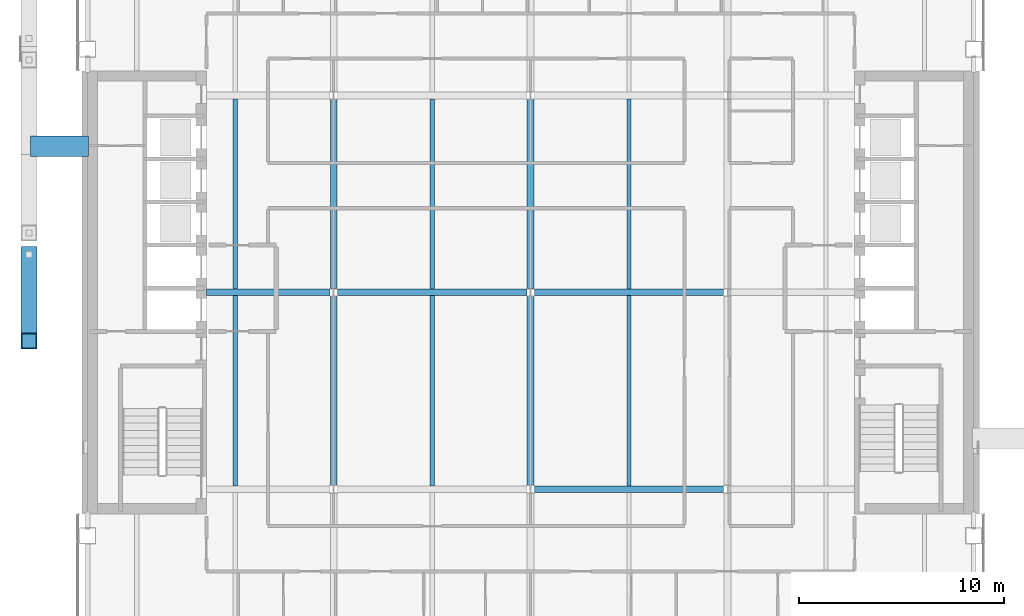
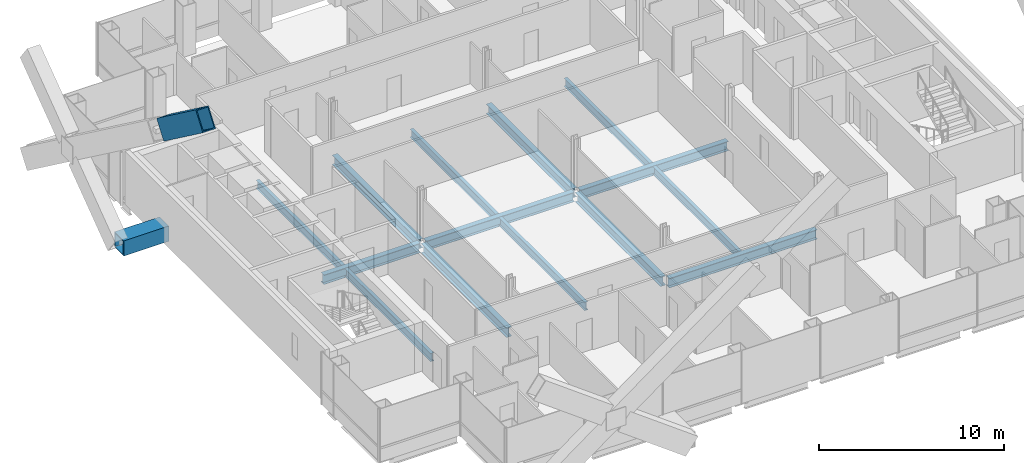
# One storey, part 4 of 16: 15 beams, 1 member.
"""IFC4 building model written with IfcOpenShell, lengths in metres."""

from ifc_helpers import new_model, si_unit, direction, frame, origin, origin_2d, place, context, subcontext, project, spatial, hollow_rectangle, i_section, extrude, material, material_profile, profile_set, type_object, element, save


model = new_model("IFC4")

# Units and contexts
model_context = context("Model", 3, precision=1e-05, world=origin(), true_north=direction((0.0, 1.0)))
body_context = subcontext(model_context, "Body", "Model", "MODEL_VIEW")
ifc_project = project(units=[si_unit("LENGTHUNIT", "METRE"), si_unit("AREAUNIT", "SQUARE_METRE"), si_unit("VOLUMEUNIT", "CUBIC_METRE"), si_unit("PLANEANGLEUNIT", "RADIAN"), si_unit("MASSUNIT", "GRAM", prefix="KILO")], contexts=[model_context])

# Site, building, storey
site_placement = place(None, origin())
site = spatial("IfcSite", under=ifc_project, at=site_placement, CompositionType="ELEMENT")
building_placement = place(site_placement, origin())
building = spatial("IfcBuilding", under=site, at=building_placement, Name="Cobrizo Arcos Hotel Tower", CompositionType="ELEMENT")
storey_placement = place(building_placement, frame((0.0, 0.0, 172.5)))
storey = spatial("IfcBuildingStorey", under=building, at=storey_placement, Name="L44", CompositionType="ELEMENT", Elevation=172.5)

# Beam
ifc_material_1 = material(Name="Steel ASTM A572 Grade 50", Category="steel")
ifc_material_profile_1 = material_profile(ifc_material_1, hollow_rectangle(XDim=1.0, YDim=1.0, WallThickness=0.06005859375, at=origin_2d()), Name="BOX 1000X1000X60")
ifc_profile_set_1 = profile_set([ifc_material_profile_1], Name="Steel ASTM A572 Grade 50")
beam_type_1 = type_object("IfcBeamType", Name="BOX 1000X1000X60 brace connector strut", PredefinedType="BEAM", material=ifc_profile_set_1)
beam_1_placement = place(storey_placement, frame((-21.550048828125, 7.1142578125, 0.5), z_axis=(-1.0, 0.0, 0.0), x_axis=(0.0, -1.0, 0.0)))
element("IfcBeam", 1, at=beam_1_placement, inside=storey, type_object=beam_type_1, Name="Perimeter brace stub BS1, zone Z3, west face, offset +7.11 m, L44", PredefinedType="BEAM", context=body_context, shape_type="SweptSolid", body=[
    extrude(hollow_rectangle(XDim=1.0, YDim=1.0, WallThickness=0.06005859375, at=origin_2d()), origin(), (0.0, 0.0, 1.0), 2.820068359375),
])

# Member
ifc_material_profile_2 = material_profile(ifc_material_1, hollow_rectangle(XDim=0.800048828125, YDim=1.300048828125, WallThickness=0.06005859375, at=origin_2d()), Name="BOX 800X1300X60")
ifc_profile_set_2 = profile_set([ifc_material_profile_2], Name="Steel ASTM A572 Grade 50")
member_type = type_object("IfcMemberType", Name="BOX 800X1300X60 perimeter brace", PredefinedType="BRACE", material=ifc_profile_set_2)
member_placement = place(storey_placement, frame((-24.449951171875, 1.84814453125, 11.385986328125), z_axis=(0.0, -0.804607444048, 0.593807090715), x_axis=(1.0, 0.0, 0.0)))
element("IfcMember", 2, at=member_placement, inside=storey, type_object=member_type, Name="Perimeter brace PBR3, zone Z3, west face, no. 14b", PredefinedType="BRACE", context=body_context, shape_type="SweptSolid", body=[
    extrude(hollow_rectangle(XDim=0.800048828125, YDim=1.300048828125, WallThickness=0.06005859375, at=origin_2d()), origin(), (0.0, 0.0, 1.0), 5.244140625),
])

# Beams
ifc_material_2 = material(Name="Steel ASTM A992 Grade 50", Category="steel")
ifc_material_profile_3 = material_profile(ifc_material_2, i_section(OverallWidth=0.209228515625, OverallDepth=0.533447265625, WebThickness=0.01025390625, FlangeThickness=0.015625, at=origin_2d()), Name="W21X62")
ifc_profile_set_3 = profile_set([ifc_material_profile_3], Name="Steel ASTM A992 Grade 50")
beam_type_2 = type_object("IfcBeamType", Name="W21X62 joist", PredefinedType="JOIST", material=ifc_profile_set_3)
for number, where, z_axis, x_axis, name in (
    (3, (-14.39990234375, -9.43603515625, -0.416748046875), (0.0, 1.0, 0.0), (-1.0, 0.0, 0.0), "Floor joist J1, L44, no. 004"),
    (4, (-14.39990234375, 0.163818359375, -0.416748046875), (0.0, 1.0, 0.0), (-1.0, 0.0, 0.0), "Floor joist J1, L44, no. 005"),
    (5, (-4.800048828125, -9.43603515625, -0.416748046875), (0.0, 1.0, 0.0), (-1.0, 0.0, 0.0), "Floor joist J1, L44, no. 008"),
    (6, (-4.800048828125, 0.163818359375, -0.416748046875), (0.0, 1.0, 0.0), (-1.0, 0.0, 0.0), "Floor joist J1, L44, no. 009"),
    (7, (4.800048828125, -9.43603515625, -0.416748046875), (0.0, 1.0, 0.0), (-1.0, 0.0, 0.0), "Floor joist J1, L44, no. 012"),
    (8, (4.800048828125, 0.163818359375, -0.416748046875), (0.0, 1.0, 0.0), (-1.0, 0.0, 0.0), "Floor joist J1, L44, no. 013"),
):
    element("IfcBeam", number, at=place(storey_placement, frame(where, z_axis=z_axis, x_axis=x_axis)), inside=storey, type_object=beam_type_2, Name=name, PredefinedType="JOIST", context=body_context, shape_type="SweptSolid", body=[
        extrude(i_section(OverallWidth=0.209228515625, OverallDepth=0.533447265625, WebThickness=0.01025390625, FlangeThickness=0.015625, at=origin_2d()), origin(), (0.0, 0.0, 1.0), 9.272216796875),
    ])
ifc_material_profile_4 = material_profile(ifc_material_2, i_section(OverallWidth=0.32763671875, OverallDepth=0.622314453125, WebThickness=0.015380859375, FlangeThickness=0.0244140625, at=origin_2d()), Name="W24X131")
ifc_profile_set_4 = profile_set([ifc_material_profile_4], Name="Steel ASTM A992 Grade 50")
beam_type_3 = type_object("IfcBeamType", Name="W24X131 girder", PredefinedType="BEAM", material=ifc_profile_set_4)
beam_2_placement = place(storey_placement, frame((0.186767578125, -9.60009765625, -0.461181640625), z_axis=(1.0, 0.0, 0.0), x_axis=(0.0, 1.0, 0.0)))
element("IfcBeam", 9, at=beam_2_placement, inside=storey, type_object=beam_type_3, Name="Floor girder G1, L44, no. 003", PredefinedType="BEAM", context=body_context, shape_type="SweptSolid", body=[
    extrude(i_section(OverallWidth=0.32763671875, OverallDepth=0.622314453125, WebThickness=0.015380859375, FlangeThickness=0.0244140625, at=origin_2d()), origin(), (0.0, 0.0, 1.0), 9.2265625),
])
beam_3_placement = place(storey_placement, frame((-15.7900390625, 0.0, -0.461181640625), z_axis=(1.0, 0.0, 0.0), x_axis=(0.0, 1.0, 0.0)))
element("IfcBeam", 10, at=beam_3_placement, inside=storey, type_object=beam_type_3, Name="Floor girder G1, L44, no. 005", PredefinedType="BEAM", context=body_context, shape_type="SweptSolid", body=[
    extrude(i_section(OverallWidth=0.32763671875, OverallDepth=0.622314453125, WebThickness=0.015380859375, FlangeThickness=0.0244140625, at=origin_2d()), origin(), (0.0, 0.0, 1.0), 6.00341796875),
])
for number, where, z_axis, x_axis, name in (
    (11, (-9.413330078125, 0.0, -0.461181640625), (1.0, 0.0, 0.0), (0.0, 1.0, 0.0), "Floor girder G1, L44, no. 006"),
    (12, (0.186767578125, 0.0, -0.461181640625), (1.0, 0.0, 0.0), (0.0, 1.0, 0.0), "Floor girder G1, L44, no. 007"),
    (13, (-9.60009765625, -9.413330078125, -0.461181640625), (0.0, 1.0, 0.0), (-1.0, 0.0, 0.0), "Floor girder G1, L44, no. 014"),
    (14, (-9.60009765625, 0.186767578125, -0.461181640625), (0.0, 1.0, 0.0), (-1.0, 0.0, 0.0), "Floor girder G1, L44, no. 015"),
    (15, (0.0, -9.413330078125, -0.461181640625), (0.0, 1.0, 0.0), (-1.0, 0.0, 0.0), "Floor girder G1, L44, no. 018"),
    (16, (0.0, 0.186767578125, -0.461181640625), (0.0, 1.0, 0.0), (-1.0, 0.0, 0.0), "Floor girder G1, L44, no. 019"),
):
    element("IfcBeam", number, at=place(storey_placement, frame(where, z_axis=z_axis, x_axis=x_axis)), inside=storey, type_object=beam_type_3, Name=name, PredefinedType="BEAM", context=body_context, shape_type="SweptSolid", body=[
        extrude(i_section(OverallWidth=0.32763671875, OverallDepth=0.622314453125, WebThickness=0.015380859375, FlangeThickness=0.0244140625, at=origin_2d()), origin(), (0.0, 0.0, 1.0), 9.2265625),
    ])

save(model, "model.ifc")
